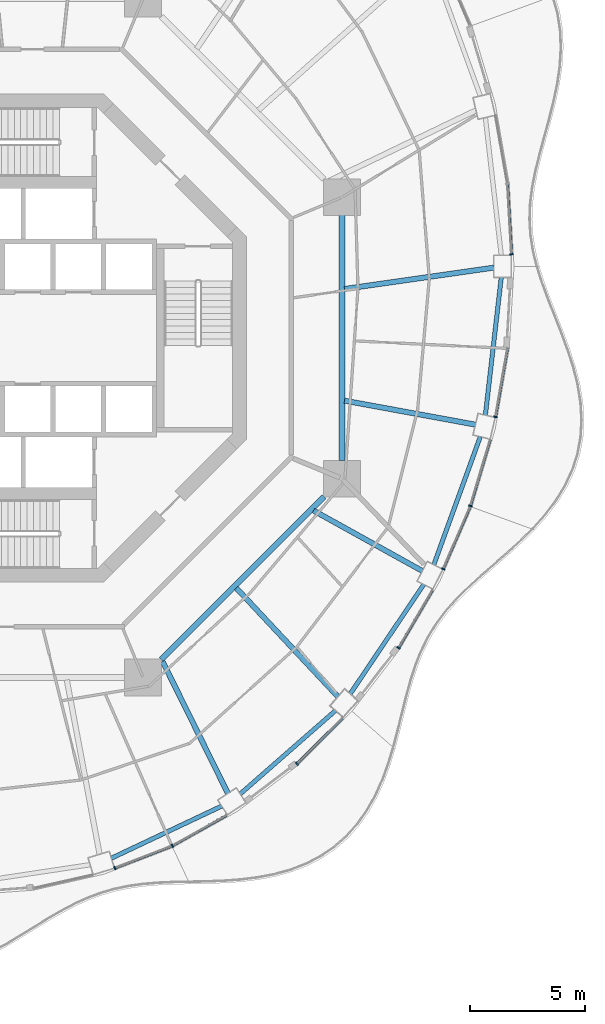
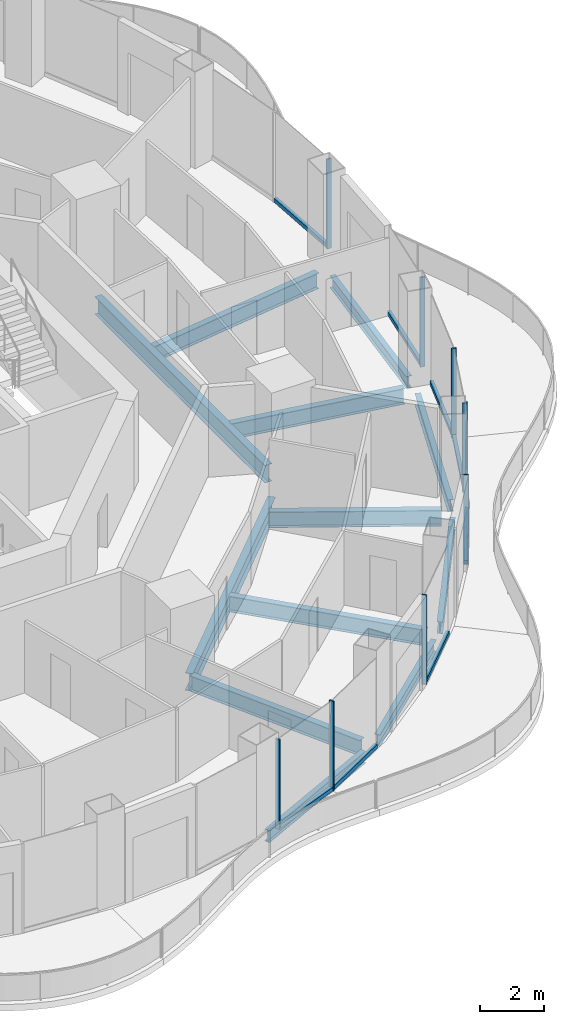
# One storey, part 4 of 18: 16 members, 12 beams, 8 elements without a shape of their own.
"""IFC4 building model written with IfcOpenShell, lengths in metres."""

from ifc_helpers import new_model, si_unit, direction, frame, origin, origin_2d, place, context, subcontext, project, spatial, rectangle, i_section, extrude, material, layer, layer_set, material_profile, profile_set, type_object, element, aggregate, save


model = new_model("IFC4")

# Units and contexts
model_context = context("Model", 3, precision=1e-05, world=origin(), true_north=direction((0.0, 1.0)))
body_context = subcontext(model_context, "Body", "Model", "MODEL_VIEW")
ifc_project = project(units=[si_unit("LENGTHUNIT", "METRE"), si_unit("AREAUNIT", "SQUARE_METRE"), si_unit("VOLUMEUNIT", "CUBIC_METRE"), si_unit("PLANEANGLEUNIT", "RADIAN"), si_unit("MASSUNIT", "GRAM", prefix="KILO")], contexts=[model_context])

# Site, building, storey
site_placement = place(None, origin())
site = spatial("IfcSite", under=ifc_project, at=site_placement, CompositionType="ELEMENT")
building_placement = place(site_placement, origin())
building = spatial("IfcBuilding", under=site, at=building_placement, Name="Nagisa Residences", CompositionType="ELEMENT")
storey_placement = place(building_placement, frame((0.0, 0.0, 227.0)))
storey = spatial("IfcBuildingStorey", under=building, at=storey_placement, Name="L57", CompositionType="ELEMENT", Elevation=227.0)

# Curtain wall, member
ifc_material_1 = material(Name="Concrete-coloured aluminium curtain wall system", Category="concrete")
ifc_layer = layer(ifc_material_1, 0.159912109375)
ifc_layer_set = layer_set([ifc_layer], Name="CW1 CURTAIN WALL")
curtain_wall_type = type_object("IfcCurtainWallType", Name="CW1 CURTAIN WALL", PredefinedType="NOTDEFINED", material=ifc_layer_set)
curtain_wall_1_placement = place(storey_placement, origin())
curtain_wall_1 = element("IfcCurtainWall", 1, at=curtain_wall_1_placement, inside=storey, type_object=curtain_wall_type, Name="cw:CW1:L57:00", PredefinedType="NOTDEFINED")
ifc_material_2 = material(Name="Concrete-coloured aluminium", Category="concrete")
ifc_material_profile_1 = material_profile(ifc_material_2, rectangle(XDim=0.159912109375, YDim=0.06005859375, at=origin_2d()), Name="CW1 MULLION 160x60")
ifc_profile_set_1 = profile_set([ifc_material_profile_1], Name="Concrete-coloured aluminium")
member_type_1 = type_object("IfcMemberType", Name="CW1 MULLION 160x60", PredefinedType="MULLION", material=ifc_profile_set_1)
member_1_placement = place(storey_placement, frame((22.15966796875, 3.642333984375, 0.0), z_axis=(0.0, 0.0, 1.0), x_axis=(-0.998345305184, -0.057503492216, 0.0)))
member_1 = element("IfcMember", 2, at=member_1_placement, type_object=member_type_1, Name="CW1 mullion", PredefinedType="MULLION", context=body_context, shape_type="SweptSolid", body=[
    extrude(rectangle(XDim=0.159912109375, YDim=0.06005859375, at=origin_2d()), origin(), (0.0, 0.0, 1.0), 3.43994140625),
])

curtain_wall_2_placement = place(storey_placement, origin())
curtain_wall_2 = element("IfcCurtainWall", 3, at=curtain_wall_2_placement, inside=storey, type_object=curtain_wall_type, Name="cw:CW1:L57:38", PredefinedType="NOTDEFINED")
member_2_placement = place(storey_placement, frame((4.895263671875, -23.073486328125, 0.0), z_axis=(0.0, 0.0, 1.0), x_axis=(-0.360327770268, 0.932825759707, 0.0)))
member_2 = element("IfcMember", 4, at=member_2_placement, type_object=member_type_1, Name="CW1 mullion", PredefinedType="MULLION", context=body_context, shape_type="SweptSolid", body=[
    extrude(rectangle(XDim=0.159912109375, YDim=0.06005859375, at=origin_2d()), origin(), (0.0, 0.0, 1.0), 3.43994140625),
])

curtain_wall_3_placement = place(storey_placement, origin())
curtain_wall_3 = element("IfcCurtainWall", 5, at=curtain_wall_3_placement, inside=storey, type_object=curtain_wall_type, Name="cw:CW1:L57:39", PredefinedType="NOTDEFINED")
member_3_placement = place(storey_placement, frame((7.398193359375, -22.10302734375, 0.0), z_axis=(0.0, 0.0, 1.0), x_axis=(-0.489376918501, 0.872072377523, 0.0)))
member_3 = element("IfcMember", 6, at=member_3_placement, type_object=member_type_1, Name="CW1 mullion", PredefinedType="MULLION", context=body_context, shape_type="SweptSolid", body=[
    extrude(rectangle(XDim=0.159912109375, YDim=0.06005859375, at=origin_2d()), origin(), (0.0, 0.0, 1.0), 3.43994140625),
])

curtain_wall_4_placement = place(storey_placement, origin())
curtain_wall_4 = element("IfcCurtainWall", 7, at=curtain_wall_4_placement, inside=storey, type_object=curtain_wall_type, Name="cw:CW1:L57:41", PredefinedType="NOTDEFINED")
member_4_placement = place(storey_placement, frame((12.817626953125, -18.534423828125, 0.0), z_axis=(0.0, 0.0, 1.0), x_axis=(-0.706376885714, 0.707835924016, 0.0)))
member_4 = element("IfcMember", 8, at=member_4_placement, type_object=member_type_1, Name="CW1 mullion", PredefinedType="MULLION", context=body_context, shape_type="SweptSolid", body=[
    extrude(rectangle(XDim=0.159912109375, YDim=0.06005859375, at=origin_2d()), origin(), (0.0, 0.0, 1.0), 3.43994140625),
])

curtain_wall_5_placement = place(storey_placement, origin())
curtain_wall_5 = element("IfcCurtainWall", 9, at=curtain_wall_5_placement, inside=storey, type_object=curtain_wall_type, Name="cw:CW1:L57:43", PredefinedType="NOTDEFINED")
member_5_placement = place(storey_placement, frame((17.2421875, -13.489990234375, 0.0), z_axis=(0.0, 0.0, 1.0), x_axis=(-0.862328898214, 0.506348567002, 0.0)))
member_5 = element("IfcMember", 10, at=member_5_placement, type_object=member_type_1, Name="CW1 mullion", PredefinedType="MULLION", context=body_context, shape_type="SweptSolid", body=[
    extrude(rectangle(XDim=0.159912109375, YDim=0.06005859375, at=origin_2d()), origin(), (0.0, 0.0, 1.0), 3.43994140625),
])

curtain_wall_6_placement = place(storey_placement, origin())
curtain_wall_6 = element("IfcCurtainWall", 11, at=curtain_wall_6_placement, inside=storey, type_object=curtain_wall_type, Name="cw:CW1:L57:44", PredefinedType="NOTDEFINED")
member_6_placement = place(storey_placement, frame((19.1826171875, -10.05908203125, 0.0), z_axis=(0.0, 0.0, 1.0), x_axis=(-0.917543276295, 0.397635934147, 0.0)))
member_6 = element("IfcMember", 12, at=member_6_placement, type_object=member_type_1, Name="CW1 mullion", PredefinedType="MULLION", context=body_context, shape_type="SweptSolid", body=[
    extrude(rectangle(XDim=0.159912109375, YDim=0.06005859375, at=origin_2d()), origin(), (0.0, 0.0, 1.0), 3.43994140625),
])

curtain_wall_7_placement = place(storey_placement, origin())
curtain_wall_7 = element("IfcCurtainWall", 13, at=curtain_wall_7_placement, inside=storey, type_object=curtain_wall_type, Name="cw:CW1:L57:45", PredefinedType="NOTDEFINED")
member_7_placement = place(storey_placement, frame((20.36962890625, -7.3125, 0.0), z_axis=(0.0, 0.0, 1.0), x_axis=(-0.958271310082, 0.285860274038, 0.0)))
member_7 = element("IfcMember", 14, at=member_7_placement, type_object=member_type_1, Name="CW1 mullion", PredefinedType="MULLION", context=body_context, shape_type="SweptSolid", body=[
    extrude(rectangle(XDim=0.159912109375, YDim=0.06005859375, at=origin_2d()), origin(), (0.0, 0.0, 1.0), 3.43994140625),
])

curtain_wall_8_placement = place(storey_placement, origin())
curtain_wall_8 = element("IfcCurtainWall", 15, at=curtain_wall_8_placement, inside=storey, type_object=curtain_wall_type, Name="cw:CW1:L57:46", PredefinedType="NOTDEFINED")
member_8_placement = place(storey_placement, frame((21.46240234375, -3.435546875, 0.0), z_axis=(0.0, 0.0, 1.0), x_axis=(-0.985063604377, 0.172190868898, 0.0)))
member_8 = element("IfcMember", 16, at=member_8_placement, type_object=member_type_1, Name="CW1 mullion", PredefinedType="MULLION", context=body_context, shape_type="SweptSolid", body=[
    extrude(rectangle(XDim=0.159912109375, YDim=0.06005859375, at=origin_2d()), origin(), (0.0, 0.0, 1.0), 3.43994140625),
])

# Member
ifc_material_3 = material(Name="Concrete-coloured aluminium", Category="concrete")
ifc_material_profile_2 = material_profile(ifc_material_3, rectangle(XDim=0.1201171875, YDim=0.14990234375, at=origin_2d()), Name="CW1 TRANSOM 120x150")
ifc_profile_set_2 = profile_set([ifc_material_profile_2], Name="Concrete-coloured aluminium")
member_type_2 = type_object("IfcMemberType", Name="CW1 TRANSOM 120x150", PredefinedType="USERDEFINED", material=ifc_profile_set_2)
member_9_placement = place(storey_placement, frame((22.161376953125, 3.6123046875, 0.074951171875), z_axis=(-0.057528189427, 0.998343882348, 0.0), x_axis=(-0.998343882348, -0.057528189427, 0.0)))
member_9 = element("IfcMember", 17, at=member_9_placement, type_object=member_type_2, Name="CW1 transom", ObjectType="TRANSOM", PredefinedType="USERDEFINED", context=body_context, shape_type="SweptSolid", body=[
    extrude(rectangle(XDim=0.1201171875, YDim=0.14990234375, at=origin_2d()), origin(), (0.0, 0.0, 1.0), 3.0810546875),
])

aggregate(curtain_wall_1, [member_1, member_9])

member_10_placement = place(storey_placement, frame((4.867431640625, -23.084228515625, 0.074951171875), z_axis=(0.932826499224, 0.360325855782, 0.0), x_axis=(-0.360325855782, 0.932826499224, 0.0)))
member_10 = element("IfcMember", 18, at=member_10_placement, type_object=member_type_2, Name="CW1 transom", ObjectType="TRANSOM", PredefinedType="USERDEFINED", context=body_context, shape_type="SweptSolid", body=[
    extrude(rectangle(XDim=0.1201171875, YDim=0.14990234375, at=origin_2d()), origin(), (0.0, 0.0, 1.0), 2.696044921875),
])

aggregate(curtain_wall_2, [member_2, member_10])

member_11_placement = place(storey_placement, frame((7.3720703125, -22.11767578125, 0.074951171875), z_axis=(0.872041873719, 0.489431272479, 0.0), x_axis=(-0.489431272479, 0.872041873719, 0.0)))
member_11 = element("IfcMember", 19, at=member_11_placement, type_object=member_type_2, Name="CW1 transom", ObjectType="TRANSOM", PredefinedType="USERDEFINED", context=body_context, shape_type="SweptSolid", body=[
    extrude(rectangle(XDim=0.1201171875, YDim=0.14990234375, at=origin_2d()), origin(), (0.0, 0.0, 1.0), 2.738037109375),
])

aggregate(curtain_wall_3, [member_3, member_11])

member_12_placement = place(storey_placement, frame((12.79638671875, -18.5556640625, 0.074951171875), z_axis=(0.707836044127, 0.706376765356, 0.0), x_axis=(-0.706376765356, 0.707836044127, 0.0)))
member_12 = element("IfcMember", 20, at=member_12_placement, type_object=member_type_2, Name="CW1 transom", ObjectType="TRANSOM", PredefinedType="USERDEFINED", context=body_context, shape_type="SweptSolid", body=[
    extrude(rectangle(XDim=0.1201171875, YDim=0.14990234375, at=origin_2d()), origin(), (0.0, 0.0, 1.0), 2.84423828125),
])

aggregate(curtain_wall_4, [member_4, member_12])

member_13_placement = place(storey_placement, frame((17.22705078125, -13.515869140625, 0.074951171875), z_axis=(0.5063555387, 0.862324804484, 0.0), x_axis=(-0.862324804484, 0.5063555387, 0.0)))
member_13 = element("IfcMember", 21, at=member_13_placement, type_object=member_type_2, Name="CW1 transom", ObjectType="TRANSOM", PredefinedType="USERDEFINED", context=body_context, shape_type="SweptSolid", body=[
    extrude(rectangle(XDim=0.1201171875, YDim=0.14990234375, at=origin_2d()), origin(), (0.0, 0.0, 1.0), 2.95458984375),
])

aggregate(curtain_wall_5, [member_5, member_13])

member_14_placement = place(storey_placement, frame((19.170654296875, -10.086669921875, 0.074951171875), z_axis=(0.397616567135, 0.917551669139, 0.0), x_axis=(-0.917551669139, 0.397616567135, 0.0)))
member_14 = element("IfcMember", 22, at=member_14_placement, type_object=member_type_2, Name="CW1 transom", ObjectType="TRANSOM", PredefinedType="USERDEFINED", context=body_context, shape_type="SweptSolid", body=[
    extrude(rectangle(XDim=0.1201171875, YDim=0.14990234375, at=origin_2d()), origin(), (0.0, 0.0, 1.0), 3.001953125),
])

aggregate(curtain_wall_6, [member_6, member_14])

member_15_placement = place(storey_placement, frame((20.361083984375, -7.341064453125, 0.074951171875), z_axis=(0.285881452443, 0.958264992134, 0.0), x_axis=(-0.958264992134, 0.285881452443, 0.0)))
member_15 = element("IfcMember", 23, at=member_15_placement, type_object=member_type_2, Name="CW1 transom", ObjectType="TRANSOM", PredefinedType="USERDEFINED", context=body_context, shape_type="SweptSolid", body=[
    extrude(rectangle(XDim=0.1201171875, YDim=0.14990234375, at=origin_2d()), origin(), (0.0, 0.0, 1.0), 3.040283203125),
])

aggregate(curtain_wall_7, [member_7, member_15])

member_16_placement = place(storey_placement, frame((21.45703125, -3.465087890625, 0.074951171875), z_axis=(0.172241318156, 0.985054784426, 0.0), x_axis=(-0.985054784426, 0.172241318156, 0.0)))
member_16 = element("IfcMember", 24, at=member_16_placement, type_object=member_type_2, Name="CW1 transom", ObjectType="TRANSOM", PredefinedType="USERDEFINED", context=body_context, shape_type="SweptSolid", body=[
    extrude(rectangle(XDim=0.1201171875, YDim=0.14990234375, at=origin_2d()), origin(), (0.0, 0.0, 1.0), 3.0673828125),
])

aggregate(curtain_wall_8, [member_8, member_16])

# Beams
ifc_material_4 = material(Name="Steel ASTM A572 Gr 50", Category="steel")
ifc_material_profile_3 = material_profile(ifc_material_4, i_section(OverallWidth=0.2529296875, OverallDepth=0.677978515625, WebThickness=0.01171875, FlangeThickness=0.016357421875, at=origin_2d()), Name="W690x125")
ifc_profile_set_3 = profile_set([ifc_material_profile_3], Name="Steel ASTM A572 Gr 50")
beam_type_1 = type_object("IfcBeamType", Name="Inner ring beam W690x125", PredefinedType="BEAM", material=ifc_profile_set_3)
beam_1_placement = place(storey_placement, frame((6.90869140625, -13.99609375, -0.59912109375), z_axis=(0.707106781187, 0.707106781187, 0.0), x_axis=(-0.707106781187, 0.707106781187, 0.0)))
element("IfcBeam", 25, at=beam_1_placement, inside=storey, type_object=beam_type_1, Name="beam:L57:ib7", PredefinedType="BEAM", context=body_context, shape_type="SweptSolid", body=[
    extrude(i_section(OverallWidth=0.2529296875, OverallDepth=0.677978515625, WebThickness=0.01171875, FlangeThickness=0.016357421875, at=origin_2d()), origin(), (0.0, 0.0, 1.0), 10.023193359375),
])
beam_2_placement = place(storey_placement, frame((14.781982421875, -5.343017578125, -0.59912109375), z_axis=(0.0, 1.0, 0.0), x_axis=(-1.0, 0.0, 0.0)))
element("IfcBeam", 26, at=beam_2_placement, inside=storey, type_object=beam_type_1, Name="beam:L57:ib8", PredefinedType="BEAM", context=body_context, shape_type="SweptSolid", body=[
    extrude(i_section(OverallWidth=0.2529296875, OverallDepth=0.677978515625, WebThickness=0.01171875, FlangeThickness=0.016357421875, at=origin_2d()), origin(), (0.0, 0.0, 1.0), 10.68603515625),
])
ifc_material_5 = material(Name="Steel ASTM A572 Gr 50", Category="steel")
ifc_material_profile_4 = material_profile(ifc_material_5, i_section(OverallWidth=0.18994140625, OverallDepth=0.45703125, WebThickness=0.009033203125, FlangeThickness=0.014404296875, at=origin_2d()), Name="W460x74")
ifc_profile_set_4 = profile_set([ifc_material_profile_4], Name="Steel ASTM A572 Gr 50")
beam_type_2 = type_object("IfcBeamType", Name="Perimeter ring beam W460x74", PredefinedType="BEAM", material=ifc_profile_set_4)
beam_3_placement = place(storey_placement, frame((4.7392578125, -22.648681640625, -0.488525390625), z_axis=(0.904133867308, 0.42724928319, 0.0), x_axis=(-0.42724928319, 0.904133867308, 0.0)))
element("IfcBeam", 27, at=beam_3_placement, inside=storey, type_object=beam_type_2, Name="beam:L57:pb20", PredefinedType="BEAM", context=body_context, shape_type="SweptSolid", body=[
    extrude(i_section(OverallWidth=0.18994140625, OverallDepth=0.45703125, WebThickness=0.009033203125, FlangeThickness=0.014404296875, at=origin_2d()), origin(), (0.0, 0.0, 1.0), 5.317138671875),
])
beam_4_placement = place(storey_placement, frame((10.349853515625, -19.850341796875, -0.488525390625), z_axis=(0.75242320672, 0.65867998147, 0.0), x_axis=(-0.65867998147, 0.75242320672, 0.0)))
element("IfcBeam", 28, at=beam_4_placement, inside=storey, type_object=beam_type_2, Name="beam:L57:pb21", PredefinedType="BEAM", context=body_context, shape_type="SweptSolid", body=[
    extrude(i_section(OverallWidth=0.18994140625, OverallDepth=0.45703125, WebThickness=0.009033203125, FlangeThickness=0.014404296875, at=origin_2d()), origin(), (0.0, 0.0, 1.0), 5.5185546875),
])
beam_5_placement = place(storey_placement, frame((15.13671875, -15.49462890625, -0.488525390625), z_axis=(0.558109119402, 0.829767564345, 0.0), x_axis=(-0.829767564345, 0.558109119402, 0.0)))
element("IfcBeam", 29, at=beam_5_placement, inside=storey, type_object=beam_type_2, Name="beam:L57:pb22", PredefinedType="BEAM", context=body_context, shape_type="SweptSolid", body=[
    extrude(i_section(OverallWidth=0.18994140625, OverallDepth=0.45703125, WebThickness=0.009033203125, FlangeThickness=0.014404296875, at=origin_2d()), origin(), (0.0, 0.0, 1.0), 5.74365234375),
])
beam_6_placement = place(storey_placement, frame((18.77734375, -9.87255859375, -0.488525390625), z_axis=(0.341290329164, 0.939957930558, 0.0), x_axis=(-0.939957930558, 0.341290329164, 0.0)))
element("IfcBeam", 30, at=beam_6_placement, inside=storey, type_object=beam_type_2, Name="beam:L57:pb23", PredefinedType="BEAM", context=body_context, shape_type="SweptSolid", body=[
    extrude(i_section(OverallWidth=0.18994140625, OverallDepth=0.45703125, WebThickness=0.009033203125, FlangeThickness=0.014404296875, at=origin_2d()), origin(), (0.0, 0.0, 1.0), 5.932373046875),
])
beam_7_placement = place(storey_placement, frame((21.022216796875, -3.36181640625, -0.488525390625), z_axis=(0.114650193512, 0.993405925656, 0.0), x_axis=(-0.993405925656, 0.114650193512, 0.0)))
element("IfcBeam", 31, at=beam_7_placement, inside=storey, type_object=beam_type_2, Name="beam:L57:pb24", PredefinedType="BEAM", context=body_context, shape_type="SweptSolid", body=[
    extrude(i_section(OverallWidth=0.18994140625, OverallDepth=0.45703125, WebThickness=0.009033203125, FlangeThickness=0.014404296875, at=origin_2d()), origin(), (0.0, 0.0, 1.0), 6.0390625),
])
ifc_material_6 = material(Name="Steel ASTM A572 Gr 50", Category="steel")
ifc_material_profile_5 = material_profile(ifc_material_6, i_section(OverallWidth=0.22802734375, OverallDepth=0.60302734375, WebThickness=0.010498046875, FlangeThickness=0.014892578125, at=origin_2d()), Name="W610x101")
ifc_profile_set_5 = profile_set([ifc_material_profile_5], Name="Steel ASTM A572 Gr 50")
beam_type_3 = type_object("IfcBeamType", Name="Radial beam W610x101", PredefinedType="BEAM", material=ifc_profile_set_5)
beam_8_placement = place(storey_placement, frame((21.389892578125, 3.063232421875, -0.5615234375), z_axis=(-0.989903345459, -0.141744018034, 0.0), x_axis=(0.141744018034, -0.989903345459, 0.0)))
element("IfcBeam", 32, at=beam_8_placement, inside=storey, type_object=beam_type_3, Name="beam:L57:rb01", PredefinedType="BEAM", context=body_context, shape_type="SweptSolid", body=[
    extrude(i_section(OverallWidth=0.22802734375, OverallDepth=0.60302734375, WebThickness=0.010498046875, FlangeThickness=0.014892578125, at=origin_2d()), origin(), (0.0, 0.0, 1.0), 6.567626953125),
])
beam_9_placement = place(storey_placement, frame((9.815185546875, -19.826416015625, -0.5615234375), z_axis=(-0.443658666969, 0.896195842003, 0.0), x_axis=(-0.896195842003, -0.443658666969, 0.0)))
element("IfcBeam", 33, at=beam_9_placement, inside=storey, type_object=beam_type_3, Name="beam:L57:rb21", PredefinedType="BEAM", context=body_context, shape_type="SweptSolid", body=[
    extrude(i_section(OverallWidth=0.22802734375, OverallDepth=0.60302734375, WebThickness=0.010498046875, FlangeThickness=0.014892578125, at=origin_2d()), origin(), (0.0, 0.0, 1.0), 6.406982421875),
])
beam_10_placement = place(storey_placement, frame((14.605712890625, -15.617431640625, -0.5615234375), z_axis=(-0.683072943543, 0.730350158349, 0.0), x_axis=(-0.730350158349, -0.683072943543, 0.0)))
element("IfcBeam", 34, at=beam_10_placement, inside=storey, type_object=beam_type_3, Name="beam:L57:rb22", PredefinedType="BEAM", context=body_context, shape_type="SweptSolid", body=[
    extrude(i_section(OverallWidth=0.22802734375, OverallDepth=0.60302734375, WebThickness=0.010498046875, FlangeThickness=0.014892578125, at=origin_2d()), origin(), (0.0, 0.0, 1.0), 6.486083984375),
])
beam_11_placement = place(storey_placement, frame((18.27978515625, -10.142822265625, -0.5615234375), z_axis=(-0.874405859214, 0.485195211614, 0.0), x_axis=(-0.485195211614, -0.874405859214, 0.0)))
element("IfcBeam", 35, at=beam_11_placement, inside=storey, type_object=beam_type_3, Name="beam:L57:rb23", PredefinedType="BEAM", context=body_context, shape_type="SweptSolid", body=[
    extrude(i_section(OverallWidth=0.22802734375, OverallDepth=0.60302734375, WebThickness=0.010498046875, FlangeThickness=0.014892578125, at=origin_2d()), origin(), (0.0, 0.0, 1.0), 5.417724609375),
])
beam_12_placement = place(storey_placement, frame((20.592529296875, -3.7734375, -0.5615234375), z_axis=(-0.983621738755, 0.180245041675, 0.0), x_axis=(-0.180245041675, -0.983621738755, 0.0)))
element("IfcBeam", 36, at=beam_12_placement, inside=storey, type_object=beam_type_3, Name="beam:L57:rb24", PredefinedType="BEAM", context=body_context, shape_type="SweptSolid", body=[
    extrude(i_section(OverallWidth=0.22802734375, OverallDepth=0.60302734375, WebThickness=0.010498046875, FlangeThickness=0.014892578125, at=origin_2d()), origin(), (0.0, 0.0, 1.0), 5.798583984375),
])

save(model, "model.ifc")
